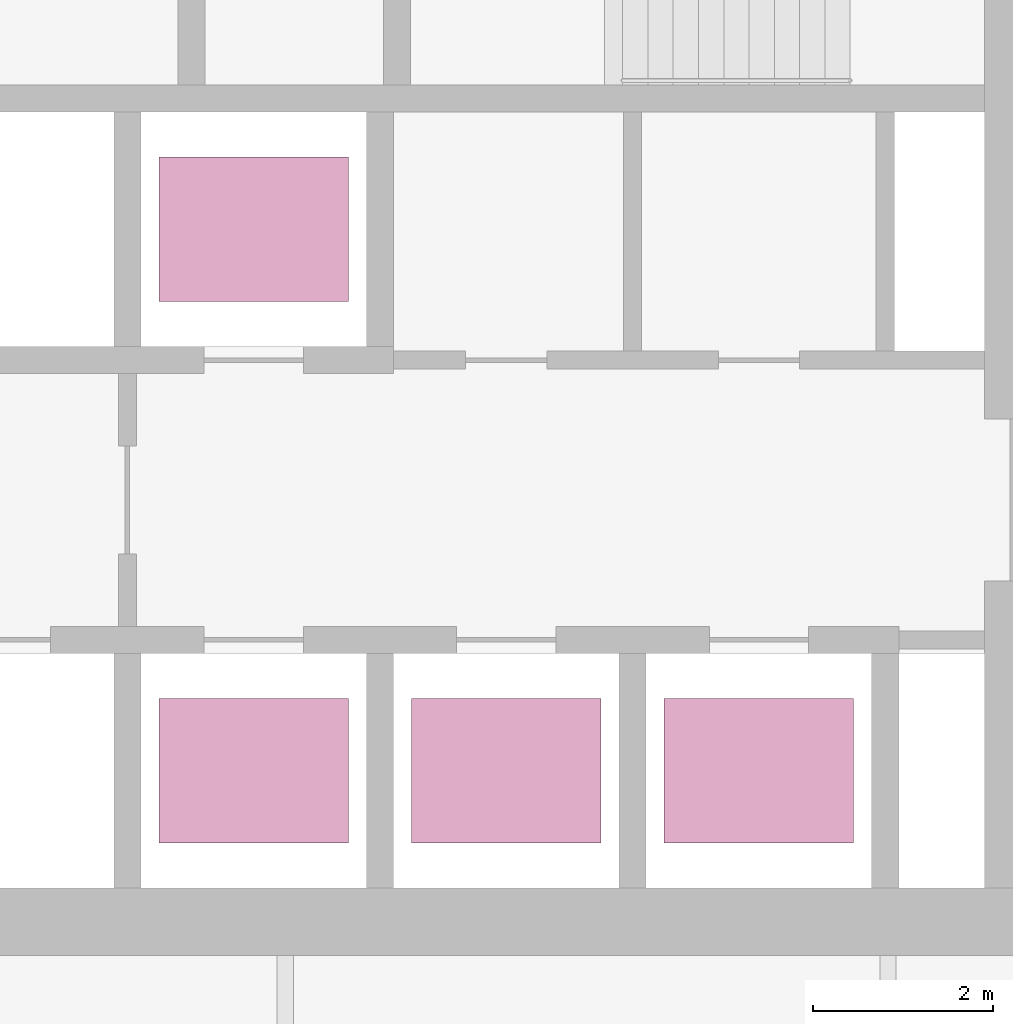
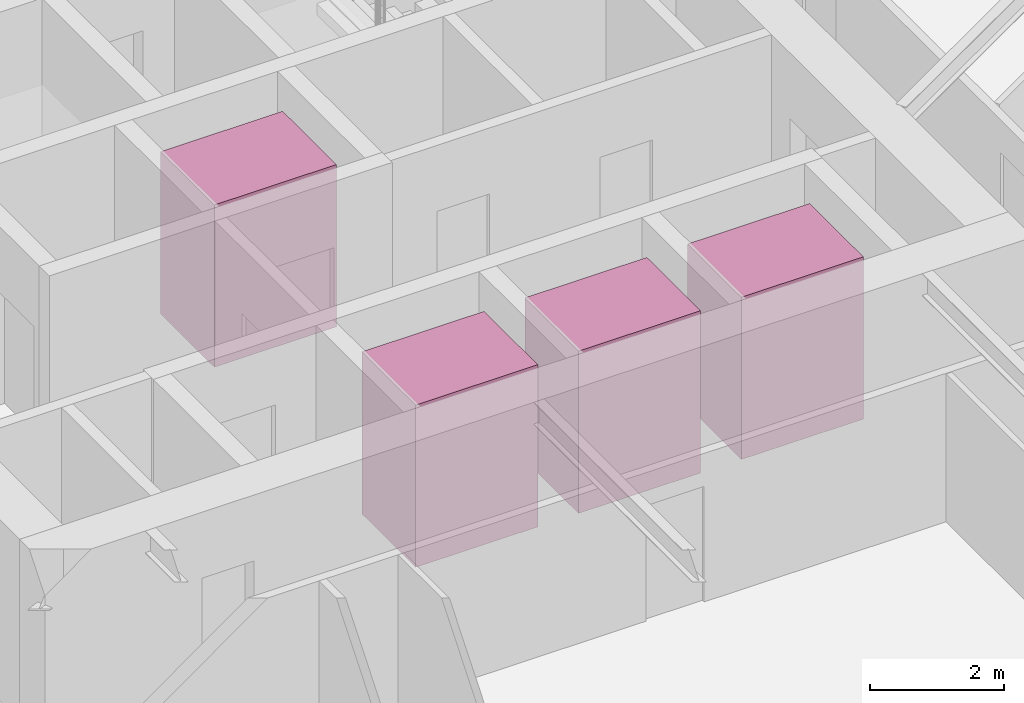
# One storey, part 16 of 17: 4 transport elements.
"""IFC4 building model written with IfcOpenShell, lengths in metres."""

from ifc_helpers import new_model, si_unit, direction, frame, origin, origin_2d, place, context, subcontext, project, spatial, rectangle, extrude, material, type_object, element, save


model = new_model("IFC4")

# Units and contexts
model_context = context("Model", 3, precision=1e-05, world=origin(), true_north=direction((0.0, 1.0)))
body_context = subcontext(model_context, "Body", "Model", "MODEL_VIEW")
ifc_project = project(units=[si_unit("LENGTHUNIT", "METRE"), si_unit("AREAUNIT", "SQUARE_METRE"), si_unit("VOLUMEUNIT", "CUBIC_METRE"), si_unit("PLANEANGLEUNIT", "RADIAN"), si_unit("MASSUNIT", "GRAM", prefix="KILO")], contexts=[model_context])

# Site, building, storey
site_placement = place(None, origin())
site = spatial("IfcSite", under=ifc_project, at=site_placement, CompositionType="ELEMENT")
building_placement = place(site_placement, origin())
building = spatial("IfcBuilding", under=site, at=building_placement, Name="Firuza Gate Tower and Library", CompositionType="ELEMENT")
storey_placement = place(building_placement, frame((0.0, 0.0, 263.60009765625)))
storey = spatial("IfcBuildingStorey", under=building, at=storey_placement, Name="L62", CompositionType="ELEMENT", Elevation=263.60009765625)

# Transport elements
ifc_material = material(Name="Stainless steel and glass", Category="steel")
transport_element_type = type_object("IfcTransportElementType", Name="High-rise lift car 2100x1600", PredefinedType="ELEVATOR", material=ifc_material)
for number, where, z_axis, x_axis, name in (
    (1, (74.64990234375, 70.300048828125, 0.0), (0.0, 0.0, 1.0), (1.0, 0.0, 0.0), "High-rise lift HR1"),
    (2, (77.449951171875, 70.300048828125, 0.0), (0.0, 0.0, 1.0), (1.0, 0.0, 0.0), "High-rise lift HR2"),
    (3, (80.25, 70.300048828125, 0.0), (0.0, 0.0, 1.0), (1.0, 0.0, 0.0), "High-rise lift HR3"),
    (4, (74.64990234375, 76.300048828125, 0.0), (0.0, 0.0, 1.0), (1.0, 0.0, 0.0), "High-rise lift HR4"),
):
    element("IfcTransportElement", number, at=place(storey_placement, frame(where, z_axis=z_axis, x_axis=x_axis)), inside=storey, type_object=transport_element_type, Name=name, PredefinedType="ELEVATOR", context=body_context, shape_type="SweptSolid", body=[
        extrude(rectangle(XDim=2.10009765625, YDim=1.60009765625, at=origin_2d()), origin(), (0.0, 0.0, 1.0), 2.949951171875),
    ])

save(model, "model.ifc")
